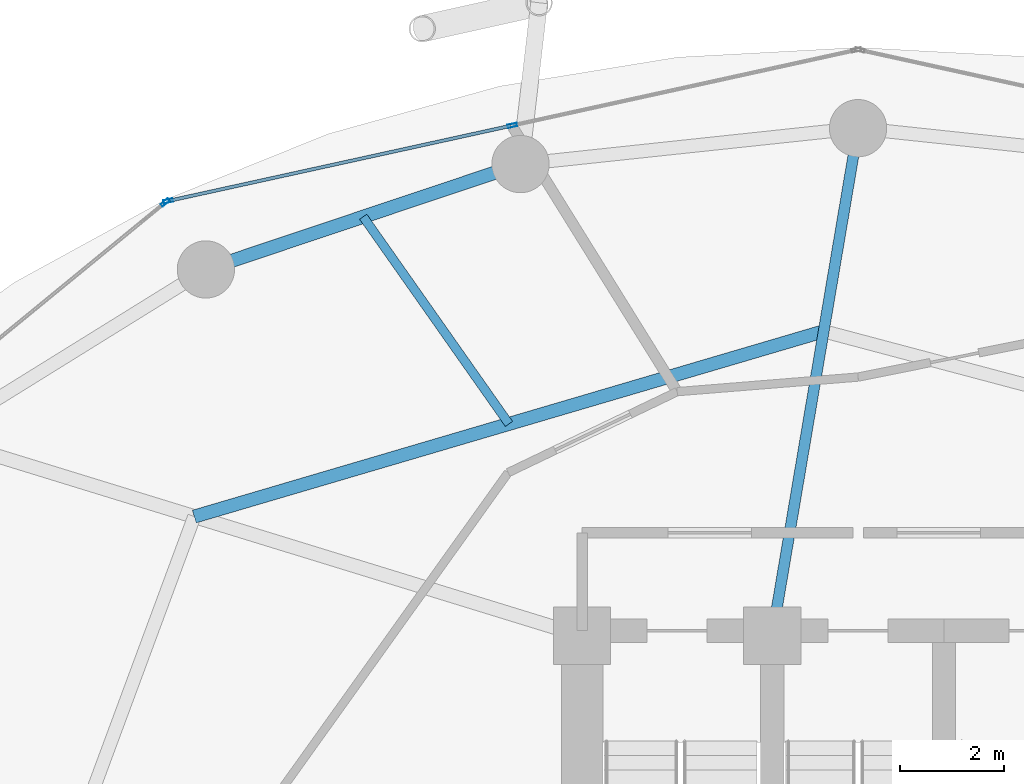
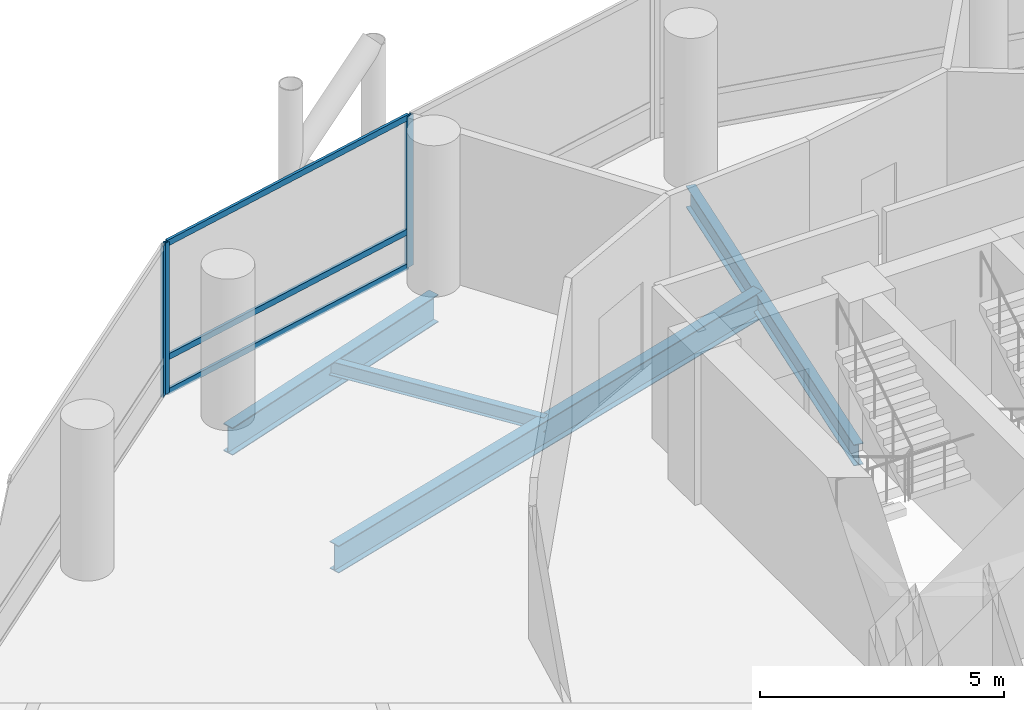
# One storey, part 15 of 24: 6 members, 4 beams, 2 elements without a shape of their own.
"""IFC4 building model written with IfcOpenShell, lengths in metres."""

from ifc_helpers import new_model, si_unit, direction, frame, origin, origin_2d, place, context, subcontext, project, spatial, hollow_rectangle, i_section, extrude, material, layer, layer_set, material_profile, profile_set, type_object, element, aggregate, save


model = new_model("IFC4")

# Units and contexts
model_context = context("Model", 3, precision=1e-05, world=origin(), true_north=direction((0.0, 1.0)))
body_context = subcontext(model_context, "Body", "Model", "MODEL_VIEW")
ifc_project = project(units=[si_unit("LENGTHUNIT", "METRE"), si_unit("AREAUNIT", "SQUARE_METRE"), si_unit("VOLUMEUNIT", "CUBIC_METRE"), si_unit("PLANEANGLEUNIT", "RADIAN"), si_unit("MASSUNIT", "GRAM", prefix="KILO")], contexts=[model_context])

# Site, building, storey
site_placement = place(None, origin())
site = spatial("IfcSite", under=ifc_project, at=site_placement, CompositionType="ELEMENT")
building_placement = place(site_placement, origin())
building = spatial("IfcBuilding", under=site, at=building_placement, Name="Nuhasar Tower", CompositionType="ELEMENT")
storey_placement = place(building_placement, frame((0.0, 0.0, 25.050048828125)))
storey = spatial("IfcBuildingStorey", under=building, at=storey_placement, Name="L05", CompositionType="ELEMENT", Elevation=25.050048828125)

# Beams
ifc_material_1 = material(Name="Steel S355", Category="steel")
ifc_material_profile_1 = material_profile(ifc_material_1, i_section(OverallWidth=0.25390625, OverallDepth=0.68408203125, WebThickness=0.012451171875, FlangeThickness=0.018798828125, at=origin_2d()), Name="W27X94")
ifc_profile_set_1 = profile_set([ifc_material_profile_1], Name="Steel S355")
beam_type_1 = type_object("IfcBeamType", Name="BM-INRING-W27X94", PredefinedType="BEAM", material=ifc_profile_set_1)
beam_1_placement = place(storey_placement, frame((38.340087890625, 43.14990234375, -0.60205078125), z_axis=(-0.959290190666, -0.28242225495, 0.0), x_axis=(0.28242225495, -0.959290190666, 0.0)))
element("IfcBeam", 1, at=beam_1_placement, inside=storey, type_object=beam_type_1, Name="L05 Inner Header Beam 06", PredefinedType="BEAM", context=body_context, shape_type="SweptSolid", body=[
    extrude(i_section(OverallWidth=0.25390625, OverallDepth=0.68408203125, WebThickness=0.012451171875, FlangeThickness=0.018798828125, at=origin_2d()), origin(), (0.0, 0.0, 1.0), 12.60107421875),
])
ifc_material_profile_2 = material_profile(ifc_material_1, i_section(OverallWidth=0.1708984375, OverallDepth=0.35205078125, WebThickness=0.0068359375, FlangeThickness=0.009765625, at=origin_2d()), Name="W14X30")
ifc_profile_set_2 = profile_set([ifc_material_profile_2], Name="Steel S355")
beam_type_2 = type_object("IfcBeamType", Name="BM-JST-W14X30", PredefinedType="JOIST", material=ifc_profile_set_2)
beam_2_placement = place(storey_placement, frame((32.2958984375, 41.3701171875, -0.43603515625), z_axis=(-0.575461088141, 0.817829160666, 0.0), x_axis=(-0.817829160666, -0.575461088141, 0.0)))
element("IfcBeam", 2, at=beam_2_placement, inside=storey, type_object=beam_type_2, Name="L05 Secondary Floor Joist 06", PredefinedType="JOIST", context=body_context, shape_type="SweptSolid", body=[
    extrude(i_section(OverallWidth=0.1708984375, OverallDepth=0.35205078125, WebThickness=0.0068359375, FlangeThickness=0.009765625, at=origin_2d()), origin(), (0.0, 0.0, 1.0), 4.865234375),
])
ifc_material_profile_3 = material_profile(ifc_material_1, i_section(OverallWidth=0.208984375, OverallDepth=0.532958984375, WebThickness=0.01025390625, FlangeThickness=0.015625, at=origin_2d()), Name="W21X62")
ifc_profile_set_3 = profile_set([ifc_material_profile_3], Name="Steel S355")
beam_type_3 = type_object("IfcBeamType", Name="BM-RAD-W21X62", PredefinedType="BEAM", material=ifc_profile_set_3)
beam_3_placement = place(storey_placement, frame((37.35009765625, 37.300048828125, -0.527099609375), z_axis=(0.166848703013, 0.98598251014, 0.0), x_axis=(-0.98598251014, 0.166848703013, 0.0)))
element("IfcBeam", 3, at=beam_3_placement, inside=storey, type_object=beam_type_3, Name="L05 Radial Floor Girder 06", PredefinedType="BEAM", context=body_context, shape_type="SweptSolid", body=[
    extrude(i_section(OverallWidth=0.208984375, OverallDepth=0.532958984375, WebThickness=0.01025390625, FlangeThickness=0.015625, at=origin_2d()), origin(), (0.0, 0.0, 1.0), 9.888671875),
])
ifc_material_profile_4 = material_profile(ifc_material_1, i_section(OverallWidth=0.256103515625, OverallDepth=0.693115234375, WebThickness=0.014404296875, FlangeThickness=0.023681640625, at=origin_2d()), Name="W27X114")
ifc_profile_set_4 = profile_set([ifc_material_profile_4], Name="Steel S355")
beam_type_4 = type_object("IfcBeamType", Name="BM-RING-W27X114", PredefinedType="SPANDREL", material=ifc_profile_set_4)
beam_4_placement = place(storey_placement, frame((32.51708984375, 46.360107421875, -0.60595703125), z_axis=(-0.948249435708, -0.317526388949, 0.0), x_axis=(0.317526388949, -0.948249435708, 0.0)))
element("IfcBeam", 4, at=beam_4_placement, inside=storey, type_object=beam_type_4, Name="L05 Perimeter Ring Spandrel 08", PredefinedType="SPANDREL", context=body_context, shape_type="SweptSolid", body=[
    extrude(i_section(OverallWidth=0.256103515625, OverallDepth=0.693115234375, WebThickness=0.014404296875, FlangeThickness=0.023681640625, at=origin_2d()), origin(), (0.0, 0.0, 1.0), 6.371826171875),
])

# Curtain wall, members
ifc_material_2 = material(Name="Aluminium 6063-T6", Category="aluminium")
ifc_layer = layer(ifc_material_2, 0.199951171875)
ifc_layer_set = layer_set([ifc_layer], Name="Aluminium 6063-T6")
curtain_wall_type = type_object("IfcCurtainWallType", Name="CW-Z1-OFF", PredefinedType="NOTDEFINED", material=ifc_layer_set)
curtain_wall_1_placement = place(storey_placement, origin())
curtain_wall_1 = element("IfcCurtainWall", 5, at=curtain_wall_1_placement, inside=storey, type_object=curtain_wall_type, Name="L05 Unitised Curtain Wall 04", PredefinedType="NOTDEFINED")
ifc_material_profile_5 = material_profile(ifc_material_2, hollow_rectangle(XDim=0.06494140625, YDim=0.179931640625, WallThickness=0.0048828125, at=origin_2d()), Name="CWM-2")
ifc_profile_set_5 = profile_set([ifc_material_profile_5], Name="Aluminium 6063-T6")
member_type_1 = type_object("IfcMemberType", Name="CW-MUL-S2", PredefinedType="MULLION", material=ifc_profile_set_5)
member_1_placement = place(storey_placement, frame((32.360107421875, 47.1025390625, 0.0), z_axis=(0.0, 0.0, 1.0), x_axis=(0.214398737637, -0.976746221544, 0.0)))
member_1 = element("IfcMember", 6, at=member_1_placement, type_object=member_type_1, Name="CW-Z1 mullion 2", PredefinedType="MULLION", context=body_context, shape_type="SweptSolid", body=[
    extrude(hollow_rectangle(XDim=0.06494140625, YDim=0.179931640625, WallThickness=0.0048828125, at=origin_2d()), origin(), (0.0, 0.0, 1.0), 3.7900390625),
])
member_2_placement = place(storey_placement, frame((25.751708984375, 45.65185546875, 0.0), z_axis=(0.0, 0.0, 1.0), x_axis=(0.214398737637, -0.976746221544, 0.0)))
member_2 = element("IfcMember", 7, at=member_2_placement, type_object=member_type_1, Name="CW-Z1 mullion 3", PredefinedType="MULLION", context=body_context, shape_type="SweptSolid", body=[
    extrude(hollow_rectangle(XDim=0.06494140625, YDim=0.179931640625, WallThickness=0.0048828125, at=origin_2d()), origin(), (0.0, 0.0, 1.0), 3.7900390625),
])

# Curtain wall, member
curtain_wall_2_placement = place(storey_placement, origin())
curtain_wall_2 = element("IfcCurtainWall", 8, at=curtain_wall_2_placement, inside=storey, type_object=curtain_wall_type, Name="L05 Unitised Curtain Wall 05", PredefinedType="NOTDEFINED")
member_3_placement = place(storey_placement, frame((25.69482421875, 45.62451171875, 0.0), z_axis=(0.0, 0.0, 1.0), x_axis=(0.633744593376, -0.773542364946, 0.0)))
member_3 = element("IfcMember", 9, at=member_3_placement, type_object=member_type_1, Name="CW-Z1 mullion 1", PredefinedType="MULLION", context=body_context, shape_type="SweptSolid", body=[
    extrude(hollow_rectangle(XDim=0.06494140625, YDim=0.179931640625, WallThickness=0.0048828125, at=origin_2d()), origin(), (0.0, 0.0, 1.0), 3.7900390625),
])
aggregate(curtain_wall_2, [member_3])

# Member
ifc_material_profile_6 = material_profile(ifc_material_2, hollow_rectangle(XDim=0.06494140625, YDim=0.14990234375, WallThickness=0.00439453125, at=origin_2d()), Name="CWT-2")
ifc_profile_set_6 = profile_set([ifc_material_profile_6], Name="Aluminium 6063-T6")
member_type_2 = type_object("IfcMemberType", Name="CW-TRN-S2", PredefinedType="USERDEFINED", material=ifc_profile_set_6)
member_4_placement = place(storey_placement, frame((32.328369140625, 47.095458984375, 0.032470703125), z_axis=(-0.976749553792, -0.214383556196, 0.0), x_axis=(0.214383556196, -0.976749553792, 0.0)))
member_4 = element("IfcMember", 10, at=member_4_placement, type_object=member_type_2, Name="CW-Z1 transom 2.1", ObjectType="TRANSOM", PredefinedType="USERDEFINED", context=body_context, shape_type="SweptSolid", body=[
    extrude(hollow_rectangle(XDim=0.06494140625, YDim=0.14990234375, WallThickness=0.00439453125, at=origin_2d()), origin(), (0.0, 0.0, 1.0), 6.70068359375),
])

member_5_placement = place(storey_placement, frame((32.328369140625, 47.095458984375, 0.89990234375), z_axis=(-0.976749553792, -0.214383556196, 0.0), x_axis=(0.214383556196, -0.976749553792, 0.0)))
member_5 = element("IfcMember", 11, at=member_5_placement, type_object=member_type_2, Name="CW-Z1 transom 2.2", ObjectType="TRANSOM", PredefinedType="USERDEFINED", context=body_context, shape_type="SweptSolid", body=[
    extrude(hollow_rectangle(XDim=0.06494140625, YDim=0.14990234375, WallThickness=0.00439453125, at=origin_2d()), origin(), (0.0, 0.0, 1.0), 6.70068359375),
])

member_6_placement = place(storey_placement, frame((32.328369140625, 47.095458984375, 3.757568359375), z_axis=(-0.976749553792, -0.214383556196, 0.0), x_axis=(0.214383556196, -0.976749553792, 0.0)))
member_6 = element("IfcMember", 12, at=member_6_placement, type_object=member_type_2, Name="CW-Z1 transom 2.3", ObjectType="TRANSOM", PredefinedType="USERDEFINED", context=body_context, shape_type="SweptSolid", body=[
    extrude(hollow_rectangle(XDim=0.06494140625, YDim=0.14990234375, WallThickness=0.00439453125, at=origin_2d()), origin(), (0.0, 0.0, 1.0), 6.70068359375),
])

aggregate(curtain_wall_1, [member_1, member_2, member_4, member_5, member_6])

save(model, "model.ifc")
